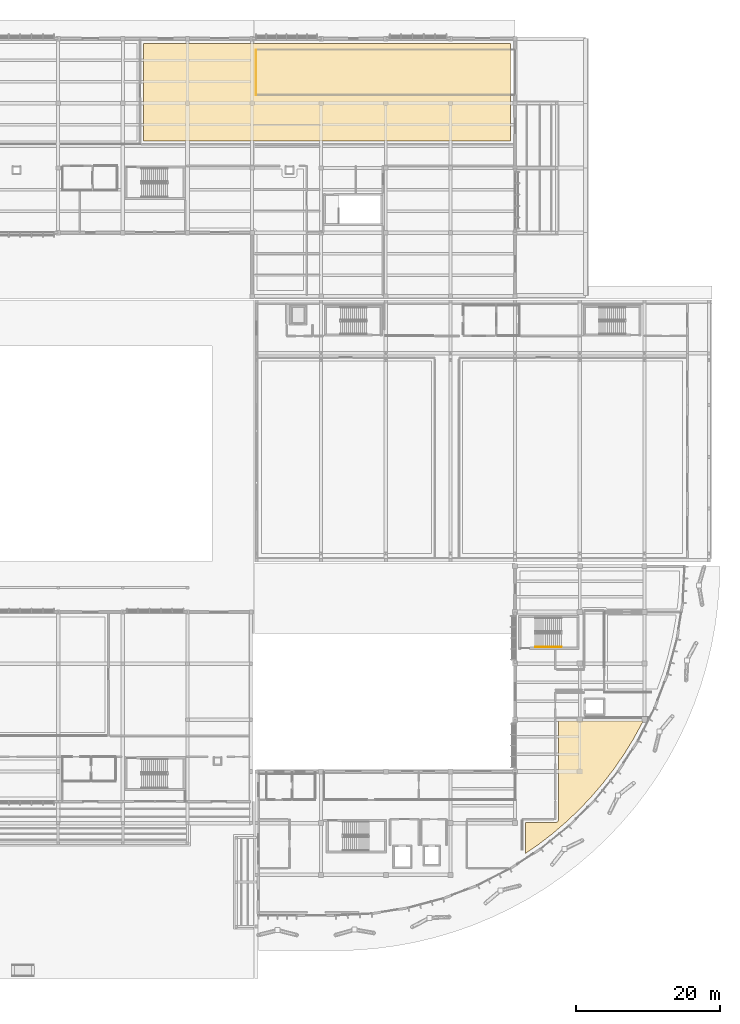
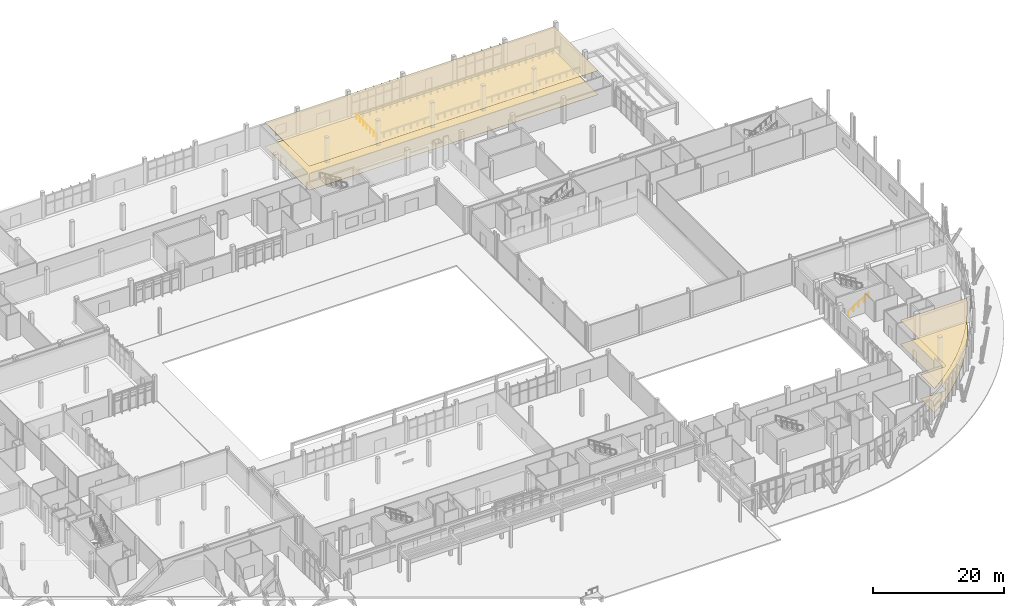
# One storey, part 146 of 151: 4 coverings, 2 railings.
"""IFC4 building model written with IfcOpenShell, lengths in metres."""

from ifc_helpers import new_model, si_unit, direction, frame, origin, origin_2d, place, context, subcontext, project, spatial, polyline, circle, outline, extrude, material, layer, layer_set, type_object, element, save


model = new_model("IFC4")

# Units and contexts
model_context = context("Model", 3, precision=1e-05, world=origin(), true_north=direction((0.0, 1.0)))
body_context = subcontext(model_context, "Body", "Model", "MODEL_VIEW")
ifc_project = project(units=[si_unit("LENGTHUNIT", "METRE"), si_unit("AREAUNIT", "SQUARE_METRE"), si_unit("VOLUMEUNIT", "CUBIC_METRE"), si_unit("PLANEANGLEUNIT", "RADIAN"), si_unit("MASSUNIT", "GRAM", prefix="KILO")], contexts=[model_context])

# Site, building, storey
site_placement = place(None, origin())
site = spatial("IfcSite", under=ifc_project, at=site_placement, CompositionType="ELEMENT")
building_placement = place(site_placement, origin())
building = spatial("IfcBuilding", under=site, at=building_placement, Name="Chiffa Square Polytechnic", CompositionType="ELEMENT")
storey_placement = place(building_placement, origin())
storey = spatial("IfcBuildingStorey", under=building, at=storey_placement, Name="L00", CompositionType="ELEMENT", Elevation=0.0)

# Coverings
ifc_material_1 = material(Name="Perforated gypsum acoustic board")
ifc_layer_1 = layer(ifc_material_1, 0.02490234375, Name="Perforated gypsum acoustic board")
ifc_layer_set_1 = layer_set([ifc_layer_1], Name="Perforated gypsum acoustic board")
covering_type_1 = type_object("IfcCoveringType", Name="COV-CEIL-GYP", PredefinedType="CEILING", material=ifc_layer_set_1)
covering_1_placement = place(storey_placement, frame((0.0, 0.0, 4.4970703125)))
element("IfcCovering", 1, at=covering_1_placement, inside=storey, type_object=covering_type_1, Name="Suspended acoustic ceiling CL-V1-L00-003", PredefinedType="CEILING", context=body_context, shape_type="SweptSolid", body=[
    extrude(outline(polyline([(149.64990234375, 17.39111328125), (149.64990234375, 21.699951171875), (153.800048828125, 21.699951171875), (153.843994140625, 21.701904296875), (153.887939453125, 21.708984375), (153.930908203125, 21.718994140625), (153.971923828125, 21.73388671875), (154.011962890625, 21.7529296875), (154.050048828125, 21.77587890625), (154.0849609375, 21.802001953125), (154.117919921875, 21.83203125), (154.14794921875, 21.864990234375), (154.174072265625, 21.89990234375), (154.197021484375, 21.93798828125), (154.216064453125, 21.97802734375), (154.23095703125, 22.01904296875), (154.240966796875, 22.06201171875), (154.248046875, 22.10595703125), (154.25, 22.14990234375), (154.25, 35.85009765625), (166.030029296875, 35.85009765625), (165.906005859375, 35.590087890625), (164.708984375, 33.385009765625), (163.39697265625, 31.24609375), (161.97607421875, 29.177978515625), (160.447998046875, 27.18701171875), (158.819091796875, 25.279052734375), (157.091064453125, 23.458984375), (155.27099609375, 21.73095703125), (153.363037109375, 20.10205078125), (151.3720703125, 18.573974609375), (149.64990234375, 17.39111328125)])), origin(), (0.0, 0.0, 1.0), 0.02490234375),
])
covering_2_placement = place(storey_placement, frame((0.0, 0.0, 4.4970703125)))
element("IfcCovering", 2, at=covering_2_placement, inside=storey, type_object=covering_type_1, Name="Suspended acoustic ceiling CL-V5-L00-016", PredefinedType="CEILING", context=body_context, shape_type="SweptSolid", body=[
    extrude(outline(polyline([(96.449951171875, 116.550048828125), (96.449951171875, 130.1298828125), (147.530029296875, 130.1298828125), (147.530029296875, 116.550048828125), (96.449951171875, 116.550048828125)])), origin(), (0.0, 0.0, 1.0), 0.02490234375),
])
ifc_material_2 = material(Name="Polished cementitious terrazzo")
ifc_layer_2 = layer(ifc_material_2, 0.0400390625, Name="Polished cementitious terrazzo")
ifc_layer_set_2 = layer_set([ifc_layer_2], Name="Polished cementitious terrazzo")
covering_type_2 = type_object("IfcCoveringType", Name="COV-FLR-TERRAZZO", PredefinedType="FLOORING", material=ifc_layer_set_2)
covering_3_placement = place(storey_placement, origin())
element("IfcCovering", 3, at=covering_3_placement, inside=storey, type_object=covering_type_2, Name="Polished terrazzo floor finish FL-V1-L00-001", PredefinedType="FLOORING", context=body_context, shape_type="SweptSolid", body=[
    extrude(outline(polyline([(149.64990234375, 17.39111328125), (149.64990234375, 21.699951171875), (153.800048828125, 21.699951171875), (153.843994140625, 21.701904296875), (153.887939453125, 21.708984375), (153.930908203125, 21.718994140625), (153.971923828125, 21.73388671875), (154.011962890625, 21.7529296875), (154.050048828125, 21.77587890625), (154.0849609375, 21.802001953125), (154.117919921875, 21.83203125), (154.14794921875, 21.864990234375), (154.174072265625, 21.89990234375), (154.197021484375, 21.93798828125), (154.216064453125, 21.97802734375), (154.23095703125, 22.01904296875), (154.240966796875, 22.06201171875), (154.248046875, 22.10595703125), (154.25, 22.14990234375), (154.25, 35.85009765625), (166.030029296875, 35.85009765625), (165.906005859375, 35.590087890625), (164.708984375, 33.385009765625), (163.39697265625, 31.24609375), (161.97607421875, 29.177978515625), (160.447998046875, 27.18701171875), (158.819091796875, 25.279052734375), (157.091064453125, 23.458984375), (155.27099609375, 21.73095703125), (153.363037109375, 20.10205078125), (151.3720703125, 18.573974609375), (149.64990234375, 17.39111328125)])), origin(), (0.0, 0.0, 1.0), 0.0400390625),
])
covering_4_placement = place(storey_placement, origin())
element("IfcCovering", 4, at=covering_4_placement, inside=storey, type_object=covering_type_2, Name="Polished terrazzo floor finish FL-V5-L00-015", PredefinedType="FLOORING", context=body_context, shape_type="SweptSolid", body=[
    extrude(outline(polyline([(96.449951171875, 116.550048828125), (96.449951171875, 130.1298828125), (147.530029296875, 130.1298828125), (147.530029296875, 116.550048828125), (96.449951171875, 116.550048828125)])), origin(), (0.0, 0.0, 1.0), 0.0400390625),
])

# Railings
ifc_material_3 = material(Name="Steel S355", Category="steel")
ifc_layer_3 = layer(ifc_material_3, 0.050048828125, Name="Steel S355")
ifc_layer_set_3 = layer_set([ifc_layer_3], Name="Steel S355")
railing_type_1 = type_object("IfcRailingType", Name="RL-STAIR-GUARD", PredefinedType="GUARDRAIL", material=ifc_layer_set_3)
railing_1_placement = place(storey_placement, frame((112.14990234375, 122.949951171875, 0.0)))
element("IfcRailing", 5, at=railing_1_placement, inside=storey, type_object=railing_type_1, Name="Ramp head guard GR-RAMP-L00-2", PredefinedType="GUARDRAIL", context=body_context, shape_type="SweptSolid", body=[
    extrude(circle(Radius=0.02392578125, at=origin_2d()), frame((0.0, 0.0, 1.076171875), z_axis=(0.0, 1.0, 0.0), x_axis=(-1.0, 0.0, 0.0)), (0.0, 0.0, 1.0), 6.300048828125),
    extrude(circle(Radius=0.02099609375, at=origin_2d()), origin(), (0.0, 0.0, 1.0), 1.052001953125),
    extrude(circle(Radius=0.02099609375, at=origin_2d()), frame((0.0, 1.050048828125, 0.0)), (0.0, 0.0, 1.0), 1.052001953125),
    extrude(circle(Radius=0.02099609375, at=origin_2d()), frame((0.0, 2.10009765625, 0.0)), (0.0, 0.0, 1.0), 1.052001953125),
    extrude(circle(Radius=0.02099609375, at=origin_2d()), frame((0.0, 3.14990234375, 0.0)), (0.0, 0.0, 1.0), 1.052001953125),
    extrude(circle(Radius=0.02099609375, at=origin_2d()), frame((0.0, 4.199951171875, 0.0)), (0.0, 0.0, 1.0), 1.052001953125),
    extrude(circle(Radius=0.02099609375, at=origin_2d()), frame((0.0, 5.25, 0.0)), (0.0, 0.0, 1.0), 1.052001953125),
    extrude(circle(Radius=0.02099609375, at=origin_2d()), frame((0.0, 6.300048828125, 0.0)), (0.0, 0.0, 1.0), 1.052001953125),
])
ifc_layer_4 = layer(ifc_material_3, 0.044921875, Name="Steel S355")
ifc_layer_set_4 = layer_set([ifc_layer_4], Name="Steel S355")
railing_type_2 = type_object("IfcRailingType", Name="RL-STAIR-HAND", PredefinedType="HANDRAIL", material=ifc_layer_set_4)
railing_2_placement = place(storey_placement, frame((151.0, 46.14990234375, 0.17138671875)))
element("IfcRailing", 6, at=railing_2_placement, inside=storey, type_object=railing_type_2, Name="L00 ST-V1B stair handrail 1", PredefinedType="HANDRAIL", context=body_context, shape_type="SweptSolid", body=[
    extrude(circle(Radius=0.02392578125, at=origin_2d()), frame((0.0, 0.0, 0.89599609375), z_axis=(0.852850264322, 0.0, 0.5221555579), x_axis=(0.0, 1.0, 0.0)), (0.0, 0.0, 1.0), 4.267822265625),
    extrude(circle(Radius=0.02099609375, at=origin_2d()), origin(), (0.0, 0.0, 1.0), 0.871826171875),
    extrude(circle(Radius=0.02099609375, at=origin_2d()), frame((0.909912109375, 0.0, 0.55712890625)), (0.0, 0.0, 1.0), 0.871826171875),
    extrude(circle(Radius=0.02099609375, at=origin_2d()), frame((1.81982421875, 0.0, 1.1142578125)), (0.0, 0.0, 1.0), 0.871826171875),
    extrude(circle(Radius=0.02099609375, at=origin_2d()), frame((2.72998046875, 0.0, 1.67138671875)), (0.0, 0.0, 1.0), 0.871826171875),
    extrude(circle(Radius=0.02099609375, at=origin_2d()), frame((3.639892578125, 0.0, 2.228515625)), (0.0, 0.0, 1.0), 0.871826171875),
])

save(model, "model.ifc")
